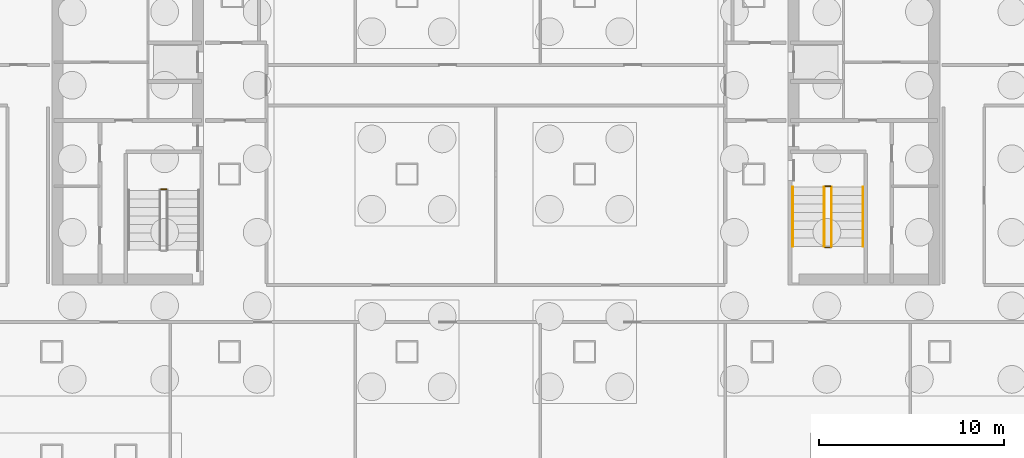
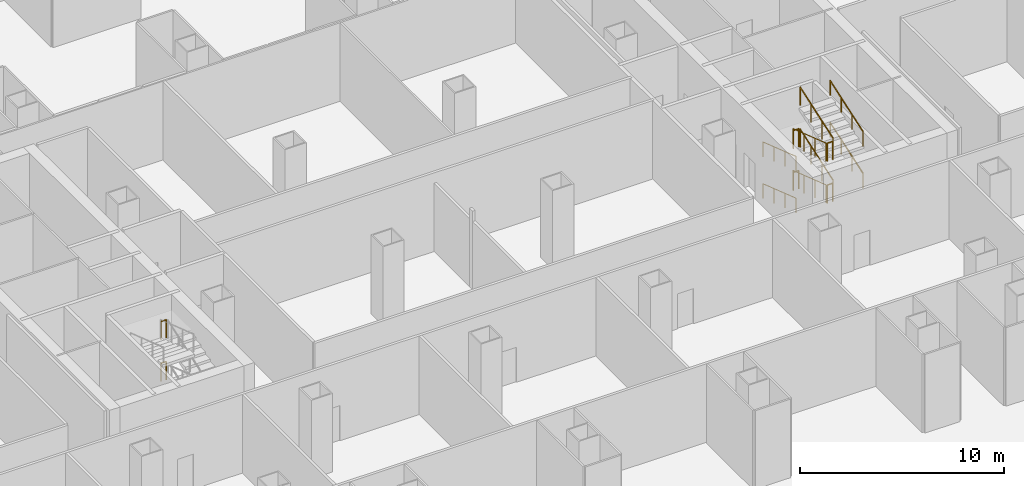
# One storey, part 15 of 17: 14 railings.
"""IFC4 building model written with IfcOpenShell, lengths in metres."""

import ifcopenshell
import ifcopenshell.guid

model = None  # the IFC model being written
_history = None  # IfcOwnerHistory: only IFC2X3 demands one
_inside = {}  # id of a spatial element -> (the spatial element, [elements in it])
_under = {}  # id of a project, library or spatial element -> (it, [spatial elements below it])
_declared = {}  # id of a project -> (the project, [libraries it declares])
_typed = {}  # id of a type object -> (the type object, [elements of that type])
_made_of = {}  # id of a material, layer set ... -> (it, [elements and type objects made of it])


def new_model(schema):
    """Start an empty IFC model of exactly this schema.

    Asked for "IFC4X3", IfcOpenShell would pick the latest addendum, in which some entities
    have other attributes; the version numbers below select the first issue.
    IFC2X3 requires an IfcOwnerHistory on every rooted entity: one is made here for all.
    """
    global model, _history
    if schema == "IFC4X3":
        model = ifcopenshell.file(schema_version=(4, 3, 0, 0))
    else:
        model = ifcopenshell.file(schema=schema)
    _inside.clear()
    _under.clear()
    _declared.clear()
    _typed.clear()
    _made_of.clear()
    _history = None
    if model.schema == "IFC2X3":
        org = make("IfcOrganization", Name="unknown")
        user = make(
            "IfcPersonAndOrganization",
            ThePerson=make("IfcPerson", FamilyName="unknown"),
            TheOrganization=org,
        )
        app = make(
            "IfcApplication",
            ApplicationDeveloper=org,
            Version="unknown",
            ApplicationFullName="unknown",
            ApplicationIdentifier="unknown",
        )
        _history = make(
            "IfcOwnerHistory",
            OwningUser=user,
            OwningApplication=app,
            ChangeAction="ADDED",
            CreationDate=0,
        )
    return model


def make(cls, **values):
    """One entity of the class cls with the attributes given. An attribute that is None is left unset."""
    return model.create_entity(
        cls, **{name: value for name, value in values.items() if value is not None}
    )


def rooted(cls, **values):
    """An entity with a GlobalId (a new one), such as an element, a storey or a relation."""
    return make(cls, GlobalId=ifcopenshell.guid.new(), OwnerHistory=_history, **values)


def si_unit(unit_type, name, prefix=None):
    """IfcSIUnit, for example si_unit("LENGTHUNIT", "METRE", prefix="MILLI")."""
    return make("IfcSIUnit", UnitType=unit_type, Prefix=prefix, Name=name)


def assignment(units):
    """IfcUnitAssignment: the units of a project."""
    return None if units is None else make("IfcUnitAssignment", Units=units)


def point(xyz):
    """IfcCartesianPoint."""
    return None if xyz is None else make("IfcCartesianPoint", Coordinates=xyz)


def direction(xyz):
    """IfcDirection."""
    return None if xyz is None else make("IfcDirection", DirectionRatios=xyz)


def frame(location, z_axis=None, x_axis=None):
    """IfcAxis2Placement3D, a coordinate frame: its origin and axes. An axis left out is left unset."""
    return make(
        "IfcAxis2Placement3D",
        Location=point(location),
        Axis=direction(z_axis),
        RefDirection=direction(x_axis),
    )


def frame_2d(location, x_axis=None):
    """IfcAxis2Placement2D, a coordinate frame in the plane: its origin and x axis."""
    return make(
        "IfcAxis2Placement2D", Location=point(location), RefDirection=direction(x_axis)
    )


def origin():
    """The frame at (0, 0, 0) with its axes left unset."""
    return frame((0.0, 0.0, 0.0))


def origin_2d():
    """The frame at (0, 0) in the plane with its x axis left unset."""
    return frame_2d((0.0, 0.0))


def place(relative_to, where):
    """IfcLocalPlacement: puts the frame where relative to a parent placement (None: the world)."""
    return make(
        "IfcLocalPlacement", PlacementRelTo=relative_to, RelativePlacement=where
    )


def context(
    kind, dimensions, precision=None, world=None, true_north=None, identifier=None
):
    """IfcGeometricRepresentationContext, for example the 3D "Model" context."""
    return make(
        "IfcGeometricRepresentationContext",
        ContextIdentifier=identifier,
        ContextType=kind,
        CoordinateSpaceDimension=dimensions,
        Precision=precision,
        WorldCoordinateSystem=world,
        TrueNorth=true_north,
    )


def subcontext(parent, identifier, kind, view, scale=None):
    """IfcGeometricRepresentationSubContext, for example "Body" below "Model"."""
    return make(
        "IfcGeometricRepresentationSubContext",
        ContextIdentifier=identifier,
        ContextType=kind,
        ParentContext=parent,
        TargetScale=scale,
        TargetView=view,
    )


def project(units=None, contexts=None):
    """IfcProject with its units and contexts."""
    return rooted(
        "IfcProject",
        Name="project",
        RepresentationContexts=contexts,
        UnitsInContext=assignment(units),
    )


def spatial(cls, under=None, at=None, **own):
    """A site, building, storey or space (cls), placed at a placement, below another one or the project."""
    s = rooted(cls, ObjectPlacement=at, **own)
    if under is not None:
        _under.setdefault(under.id(), (under, []))[1].append(s)
    return s


def profile(cls, at=None, kind="AREA", **sizes):
    """A parametric profile (cls). Its sizes go by their IFC names, for example OverallWidth=200.0."""
    return make(cls, ProfileType=kind, Position=at, **sizes)


def circle(**sizes):
    """IfcCircleProfileDef."""
    return profile("IfcCircleProfileDef", **sizes)


def extrude(swept, where, along, depth):
    """IfcExtrudedAreaSolid: the profile swept, set in the frame where, extruded along a direction by depth."""
    return make(
        "IfcExtrudedAreaSolid",
        SweptArea=swept,
        Position=where,
        ExtrudedDirection=direction(along),
        Depth=depth,
    )


def shape(context_of_items, identifier, shape_type, items):
    """IfcShapeRepresentation: the items that make up one representation, for example the "Body"."""
    return make(
        "IfcShapeRepresentation",
        ContextOfItems=context_of_items,
        RepresentationIdentifier=identifier,
        RepresentationType=shape_type,
        Items=items,
    )


def material(Name=None, Category=None):
    """IfcMaterial."""
    return make("IfcMaterial", Name=Name, Category=Category)


def made_of(thing, what):
    """Note that an element or type object is made of a material, layer set ...; save() writes the relation."""
    if what is not None:
        _made_of.setdefault(what.id(), (what, []))[1].append(thing)
    return thing


def type_object(cls, material=None, **own):
    """A type object (cls), such as IfcWallType, which elements share."""
    return made_of(rooted(cls, **own), material)


def element(
    cls,
    number,
    at=None,
    inside=None,
    cuts=None,
    type_object=None,
    material=None,
    context=None,
    identifier="Body",
    shape_type=None,
    held_by="IfcProductDefinitionShape",
    body=None,
    shapes=None,
    **own,
):
    """One element of the class cls, such as IfcWall. Its Tag is "e" and its number.

    at: its placement. inside: the storey or other place that contains it. cuts: it is an
    opening in that element (IfcRelVoidsElement). A single representation is given by context,
    identifier, shape_type and body (its items); several are given by shapes. held_by: the class
    of the entity that holds the representations. save() writes the other relations.
    """
    e = rooted(cls, Tag="e%d" % number, ObjectPlacement=at, **own)
    if body is not None:
        shapes = [shape(context, identifier, shape_type, body)]
    if shapes is not None:
        e.Representation = make(held_by, Representations=shapes)
    if inside is not None:
        _inside.setdefault(inside.id(), (inside, []))[1].append(e)
    if cuts is not None:
        rooted(
            "IfcRelVoidsElement", RelatingBuildingElement=cuts, RelatedOpeningElement=e
        )
    if type_object is not None:
        _typed.setdefault(type_object.id(), (type_object, []))[1].append(e)
    return made_of(e, material)


def aggregate(whole, parts):
    """IfcRelAggregates: a whole, such as a stair, and the parts it consists of."""
    return rooted("IfcRelAggregates", RelatingObject=whole, RelatedObjects=parts)


def save(model, path):
    """Write the relations noted so far, then the file.

    IfcRelAggregates (storeys below a building ...), IfcRelContainedInSpatialStructure (elements
    in a storey), IfcRelDefinesByType, IfcRelAssociatesMaterial and IfcRelDeclares: one each for
    every whole, place, type object, material and project.
    """
    for whole, parts in _under.values():
        aggregate(whole, parts)
    for where, things in _inside.values():
        rooted(
            "IfcRelContainedInSpatialStructure",
            RelatedElements=things,
            RelatingStructure=where,
        )
    for kind, things in _typed.values():
        rooted("IfcRelDefinesByType", RelatedObjects=things, RelatingType=kind)
    for what, things in _made_of.values():
        rooted("IfcRelAssociatesMaterial", RelatedObjects=things, RelatingMaterial=what)
    for by, libraries in _declared.values():
        rooted("IfcRelDeclares", RelatingContext=by, RelatedDefinitions=libraries)
    model.write(path)


model = new_model("IFC4")

# Units and contexts
model_context = context("Model", 3, precision=1e-05, world=origin(), true_north=direction((0.0, 1.0)))
body_context = subcontext(model_context, "Body", "Model", "MODEL_VIEW")
ifc_project = project(units=[si_unit("LENGTHUNIT", "METRE"), si_unit("AREAUNIT", "SQUARE_METRE"), si_unit("VOLUMEUNIT", "CUBIC_METRE"), si_unit("PLANEANGLEUNIT", "RADIAN"), si_unit("MASSUNIT", "GRAM", prefix="KILO")], contexts=[model_context])

# Site, building, storey
site_placement = place(None, origin())
site = spatial("IfcSite", under=ifc_project, at=site_placement, CompositionType="ELEMENT")
building_placement = place(site_placement, origin())
building = spatial("IfcBuilding", under=site, at=building_placement, Name="Cobrizo Arcos Hotel Tower", CompositionType="ELEMENT")
storey_placement = place(building_placement, frame((0.0, 0.0, -10.0)))
storey = spatial("IfcBuildingStorey", under=building, at=storey_placement, Name="B2", CompositionType="ELEMENT", Elevation=-10.0)

# Railings
ifc_material = material(Name="Stainless steel railing", Category="steel")
railing_type_1 = type_object("IfcRailingType", Name="Stair guard 1100", PredefinedType="GUARDRAIL", material=ifc_material)
for number, where, name in (
    (1, (-17.800048828125, -5.6298828125, 1.25), "B2 ST-W stair guard 2"),
    (2, (-17.800048828125, -5.6298828125, 3.75), "B2 ST-W stair guard 6"),
):
    element("IfcRailing", number, at=place(storey_placement, frame(where)), inside=storey, type_object=railing_type_1, Name=name, PredefinedType="GUARDRAIL", context=body_context, shape_type="SweptSolid", body=[
        extrude(circle(Radius=0.02392578125, at=origin_2d()), frame((0.0, 0.0, 1.076171875), z_axis=(-1.0, 0.0, 0.0), x_axis=(0.0, -1.0, 0.0)), (0.0, 0.0, 1.0), 0.300048828125),
        extrude(circle(Radius=0.02099609375, at=origin_2d()), origin(), (0.0, 0.0, 1.0), 1.052001953125),
        extrude(circle(Radius=0.02099609375, at=origin_2d()), frame((-0.300048828125, 0.0, 0.0)), (0.0, 0.0, 1.0), 1.052001953125),
    ])
railing_1_placement = place(storey_placement, frame((17.75, -5.5, 0.15625)))
element("IfcRailing", 3, at=railing_1_placement, inside=storey, type_object=railing_type_1, Name="B2 ST-E stair guard 1", PredefinedType="GUARDRAIL", context=body_context, shape_type="SweptSolid", body=[
    extrude(circle(Radius=0.02392578125, at=origin_2d()), frame((0.0, 0.0, 1.076171875), z_axis=(0.0, -0.946865913867, 0.321628576399), x_axis=(1.0, 0.0, 0.0)), (0.0, 0.0, 1.0), 3.400634765625),
    extrude(circle(Radius=0.02099609375, at=origin_2d()), origin(), (0.0, 0.0, 1.0), 1.052001953125),
    extrude(circle(Radius=0.02099609375, at=origin_2d()), frame((0.0, -1.0732421875, 0.364501953125)), (0.0, 0.0, 1.0), 1.052001953125),
    extrude(circle(Radius=0.02099609375, at=origin_2d()), frame((0.0, -2.146728515625, 0.729248046875)), (0.0, 0.0, 1.0), 1.052001953125),
    extrude(circle(Radius=0.02099609375, at=origin_2d()), frame((0.0, -3.219970703125, 1.09375)), (0.0, 0.0, 1.0), 1.052001953125),
])
railing_2_placement = place(storey_placement, frame((17.800048828125, -8.77001953125, 1.25)))
element("IfcRailing", 4, at=railing_2_placement, inside=storey, type_object=railing_type_1, Name="B2 ST-E stair guard 2", PredefinedType="GUARDRAIL", context=body_context, shape_type="SweptSolid", body=[
    extrude(circle(Radius=0.02392578125, at=origin_2d()), frame((0.0, 0.0, 1.076171875), z_axis=(1.0, 0.0, 0.0), x_axis=(0.0, 1.0, 0.0)), (0.0, 0.0, 1.0), 0.300048828125),
    extrude(circle(Radius=0.02099609375, at=origin_2d()), origin(), (0.0, 0.0, 1.0), 1.052001953125),
    extrude(circle(Radius=0.02099609375, at=origin_2d()), frame((0.300048828125, 0.0, 0.0)), (0.0, 0.0, 1.0), 1.052001953125),
])
railing_3_placement = place(storey_placement, frame((18.14990234375, -8.719970703125, 1.40625)))
element("IfcRailing", 5, at=railing_3_placement, inside=storey, type_object=railing_type_1, Name="B2 ST-E stair guard 3", PredefinedType="GUARDRAIL", context=body_context, shape_type="SweptSolid", body=[
    extrude(circle(Radius=0.02392578125, at=origin_2d()), frame((0.0, 0.0, 1.076171875), z_axis=(0.0, 0.946865913867, 0.321628576399), x_axis=(-1.0, 0.0, 0.0)), (0.0, 0.0, 1.0), 3.400634765625),
    extrude(circle(Radius=0.02099609375, at=origin_2d()), origin(), (0.0, 0.0, 1.0), 1.052001953125),
    extrude(circle(Radius=0.02099609375, at=origin_2d()), frame((0.0, 1.0732421875, 0.364501953125)), (0.0, 0.0, 1.0), 1.052001953125),
    extrude(circle(Radius=0.02099609375, at=origin_2d()), frame((0.0, 2.146728515625, 0.729248046875)), (0.0, 0.0, 1.0), 1.052001953125),
    extrude(circle(Radius=0.02099609375, at=origin_2d()), frame((0.0, 3.219970703125, 1.09375)), (0.0, 0.0, 1.0), 1.052001953125),
])
railing_4_placement = place(storey_placement, frame((17.800048828125, -5.449951171875, 2.5)))
element("IfcRailing", 6, at=railing_4_placement, inside=storey, type_object=railing_type_1, Name="B2 ST-E stair guard 4", PredefinedType="GUARDRAIL", context=body_context, shape_type="SweptSolid", body=[
    extrude(circle(Radius=0.02392578125, at=origin_2d()), frame((0.0, 0.0, 1.076171875), z_axis=(1.0, 0.0, 0.0), x_axis=(0.0, 1.0, 0.0)), (0.0, 0.0, 1.0), 0.300048828125),
    extrude(circle(Radius=0.02099609375, at=origin_2d()), origin(), (0.0, 0.0, 1.0), 1.052001953125),
    extrude(circle(Radius=0.02099609375, at=origin_2d()), frame((0.300048828125, 0.0, 0.0)), (0.0, 0.0, 1.0), 1.052001953125),
])
railing_5_placement = place(storey_placement, frame((17.75, -5.5, 2.65625)))
element("IfcRailing", 7, at=railing_5_placement, inside=storey, type_object=railing_type_1, Name="B2 ST-E stair guard 5", PredefinedType="GUARDRAIL", context=body_context, shape_type="SweptSolid", body=[
    extrude(circle(Radius=0.02392578125, at=origin_2d()), frame((0.0, 0.0, 1.076171875), z_axis=(0.0, -0.946865913867, 0.321628576399), x_axis=(1.0, 0.0, 0.0)), (0.0, 0.0, 1.0), 3.400634765625),
    extrude(circle(Radius=0.02099609375, at=origin_2d()), origin(), (0.0, 0.0, 1.0), 1.052001953125),
    extrude(circle(Radius=0.02099609375, at=origin_2d()), frame((0.0, -1.0732421875, 0.364501953125)), (0.0, 0.0, 1.0), 1.052001953125),
    extrude(circle(Radius=0.02099609375, at=origin_2d()), frame((0.0, -2.146728515625, 0.729248046875)), (0.0, 0.0, 1.0), 1.052001953125),
    extrude(circle(Radius=0.02099609375, at=origin_2d()), frame((0.0, -3.219970703125, 1.09375)), (0.0, 0.0, 1.0), 1.052001953125),
])
railing_6_placement = place(storey_placement, frame((17.800048828125, -8.77001953125, 3.75)))
element("IfcRailing", 8, at=railing_6_placement, inside=storey, type_object=railing_type_1, Name="B2 ST-E stair guard 6", PredefinedType="GUARDRAIL", context=body_context, shape_type="SweptSolid", body=[
    extrude(circle(Radius=0.02392578125, at=origin_2d()), frame((0.0, 0.0, 1.076171875), z_axis=(1.0, 0.0, 0.0), x_axis=(0.0, 1.0, 0.0)), (0.0, 0.0, 1.0), 0.300048828125),
    extrude(circle(Radius=0.02099609375, at=origin_2d()), origin(), (0.0, 0.0, 1.0), 1.052001953125),
    extrude(circle(Radius=0.02099609375, at=origin_2d()), frame((0.300048828125, 0.0, 0.0)), (0.0, 0.0, 1.0), 1.052001953125),
])
railing_7_placement = place(storey_placement, frame((18.14990234375, -8.719970703125, 3.90625)))
element("IfcRailing", 9, at=railing_7_placement, inside=storey, type_object=railing_type_1, Name="B2 ST-E stair guard 7", PredefinedType="GUARDRAIL", context=body_context, shape_type="SweptSolid", body=[
    extrude(circle(Radius=0.02392578125, at=origin_2d()), frame((0.0, 0.0, 1.076171875), z_axis=(0.0, 0.946865913867, 0.321628576399), x_axis=(-1.0, 0.0, 0.0)), (0.0, 0.0, 1.0), 3.400634765625),
    extrude(circle(Radius=0.02099609375, at=origin_2d()), origin(), (0.0, 0.0, 1.0), 1.052001953125),
    extrude(circle(Radius=0.02099609375, at=origin_2d()), frame((0.0, 1.0732421875, 0.364501953125)), (0.0, 0.0, 1.0), 1.052001953125),
    extrude(circle(Radius=0.02099609375, at=origin_2d()), frame((0.0, 2.146728515625, 0.729248046875)), (0.0, 0.0, 1.0), 1.052001953125),
    extrude(circle(Radius=0.02099609375, at=origin_2d()), frame((0.0, 3.219970703125, 1.09375)), (0.0, 0.0, 1.0), 1.052001953125),
])
railing_8_placement = place(storey_placement, frame((17.800048828125, -5.449951171875, 0.0)))
element("IfcRailing", 10, at=railing_8_placement, inside=storey, type_object=railing_type_1, Name="B2 ST-E stair guard 8", PredefinedType="GUARDRAIL", context=body_context, shape_type="SweptSolid", body=[
    extrude(circle(Radius=0.02392578125, at=origin_2d()), frame((0.0, 0.0, 1.076171875), z_axis=(1.0, 0.0, 0.0), x_axis=(0.0, 1.0, 0.0)), (0.0, 0.0, 1.0), 0.300048828125),
    extrude(circle(Radius=0.02099609375, at=origin_2d()), origin(), (0.0, 0.0, 1.0), 1.052001953125),
    extrude(circle(Radius=0.02099609375, at=origin_2d()), frame((0.300048828125, 0.0, 0.0)), (0.0, 0.0, 1.0), 1.052001953125),
])
railing_type_2 = type_object("IfcRailingType", Name="Stair handrail", PredefinedType="HANDRAIL", material=ifc_material)
railing_9_placement = place(storey_placement, frame((16.050048828125, -5.5, 0.15625)))
element("IfcRailing", 11, at=railing_9_placement, inside=storey, type_object=railing_type_2, Name="B2 ST-E stair handrail 1", PredefinedType="HANDRAIL", context=body_context, shape_type="SweptSolid", body=[
    extrude(circle(Radius=0.02392578125, at=origin_2d()), frame((0.0, 0.0, 0.8759765625), z_axis=(0.0, -0.946865913867, 0.321628576399), x_axis=(1.0, 0.0, 0.0)), (0.0, 0.0, 1.0), 3.400634765625),
    extrude(circle(Radius=0.02099609375, at=origin_2d()), origin(), (0.0, 0.0, 1.0), 0.851806640625),
    extrude(circle(Radius=0.02099609375, at=origin_2d()), frame((0.0, -1.0732421875, 0.364501953125)), (0.0, 0.0, 1.0), 0.851806640625),
    extrude(circle(Radius=0.02099609375, at=origin_2d()), frame((0.0, -2.146728515625, 0.729248046875)), (0.0, 0.0, 1.0), 0.851806640625),
    extrude(circle(Radius=0.02099609375, at=origin_2d()), frame((0.0, -3.219970703125, 1.09375)), (0.0, 0.0, 1.0), 0.851806640625),
])
railing_10_placement = place(storey_placement, frame((19.85009765625, -8.719970703125, 1.40625)))
element("IfcRailing", 12, at=railing_10_placement, inside=storey, type_object=railing_type_2, Name="B2 ST-E stair handrail 2", PredefinedType="HANDRAIL", context=body_context, shape_type="SweptSolid", body=[
    extrude(circle(Radius=0.02392578125, at=origin_2d()), frame((0.0, 0.0, 0.8759765625), z_axis=(0.0, 0.946865913867, 0.321628576399), x_axis=(-1.0, 0.0, 0.0)), (0.0, 0.0, 1.0), 3.400634765625),
    extrude(circle(Radius=0.02099609375, at=origin_2d()), origin(), (0.0, 0.0, 1.0), 0.851806640625),
    extrude(circle(Radius=0.02099609375, at=origin_2d()), frame((0.0, 1.0732421875, 0.364501953125)), (0.0, 0.0, 1.0), 0.851806640625),
    extrude(circle(Radius=0.02099609375, at=origin_2d()), frame((0.0, 2.146728515625, 0.729248046875)), (0.0, 0.0, 1.0), 0.851806640625),
    extrude(circle(Radius=0.02099609375, at=origin_2d()), frame((0.0, 3.219970703125, 1.09375)), (0.0, 0.0, 1.0), 0.851806640625),
])
railing_11_placement = place(storey_placement, frame((16.050048828125, -5.5, 2.65625)))
element("IfcRailing", 13, at=railing_11_placement, inside=storey, type_object=railing_type_2, Name="B2 ST-E stair handrail 3", PredefinedType="HANDRAIL", context=body_context, shape_type="SweptSolid", body=[
    extrude(circle(Radius=0.02392578125, at=origin_2d()), frame((0.0, 0.0, 0.8759765625), z_axis=(0.0, -0.946865913867, 0.321628576399), x_axis=(1.0, 0.0, 0.0)), (0.0, 0.0, 1.0), 3.400634765625),
    extrude(circle(Radius=0.02099609375, at=origin_2d()), origin(), (0.0, 0.0, 1.0), 0.851806640625),
    extrude(circle(Radius=0.02099609375, at=origin_2d()), frame((0.0, -1.0732421875, 0.364501953125)), (0.0, 0.0, 1.0), 0.851806640625),
    extrude(circle(Radius=0.02099609375, at=origin_2d()), frame((0.0, -2.146728515625, 0.729248046875)), (0.0, 0.0, 1.0), 0.851806640625),
    extrude(circle(Radius=0.02099609375, at=origin_2d()), frame((0.0, -3.219970703125, 1.09375)), (0.0, 0.0, 1.0), 0.851806640625),
])
railing_12_placement = place(storey_placement, frame((19.85009765625, -8.719970703125, 3.90625)))
element("IfcRailing", 14, at=railing_12_placement, inside=storey, type_object=railing_type_2, Name="B2 ST-E stair handrail 4", PredefinedType="HANDRAIL", context=body_context, shape_type="SweptSolid", body=[
    extrude(circle(Radius=0.02392578125, at=origin_2d()), frame((0.0, 0.0, 0.8759765625), z_axis=(0.0, 0.946865913867, 0.321628576399), x_axis=(-1.0, 0.0, 0.0)), (0.0, 0.0, 1.0), 3.400634765625),
    extrude(circle(Radius=0.02099609375, at=origin_2d()), origin(), (0.0, 0.0, 1.0), 0.851806640625),
    extrude(circle(Radius=0.02099609375, at=origin_2d()), frame((0.0, 1.0732421875, 0.364501953125)), (0.0, 0.0, 1.0), 0.851806640625),
    extrude(circle(Radius=0.02099609375, at=origin_2d()), frame((0.0, 2.146728515625, 0.729248046875)), (0.0, 0.0, 1.0), 0.851806640625),
    extrude(circle(Radius=0.02099609375, at=origin_2d()), frame((0.0, 3.219970703125, 1.09375)), (0.0, 0.0, 1.0), 0.851806640625),
])

save(model, "model.ifc")
